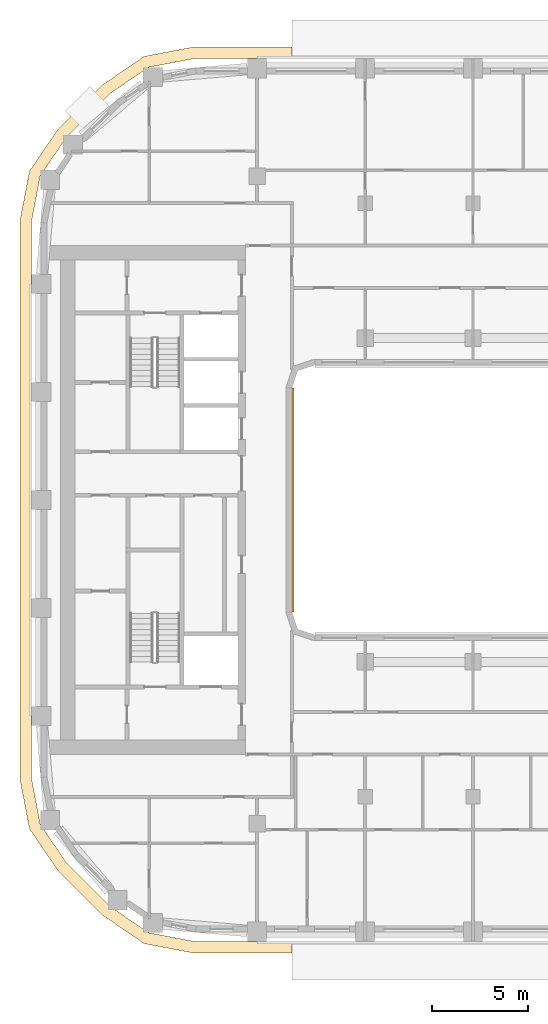
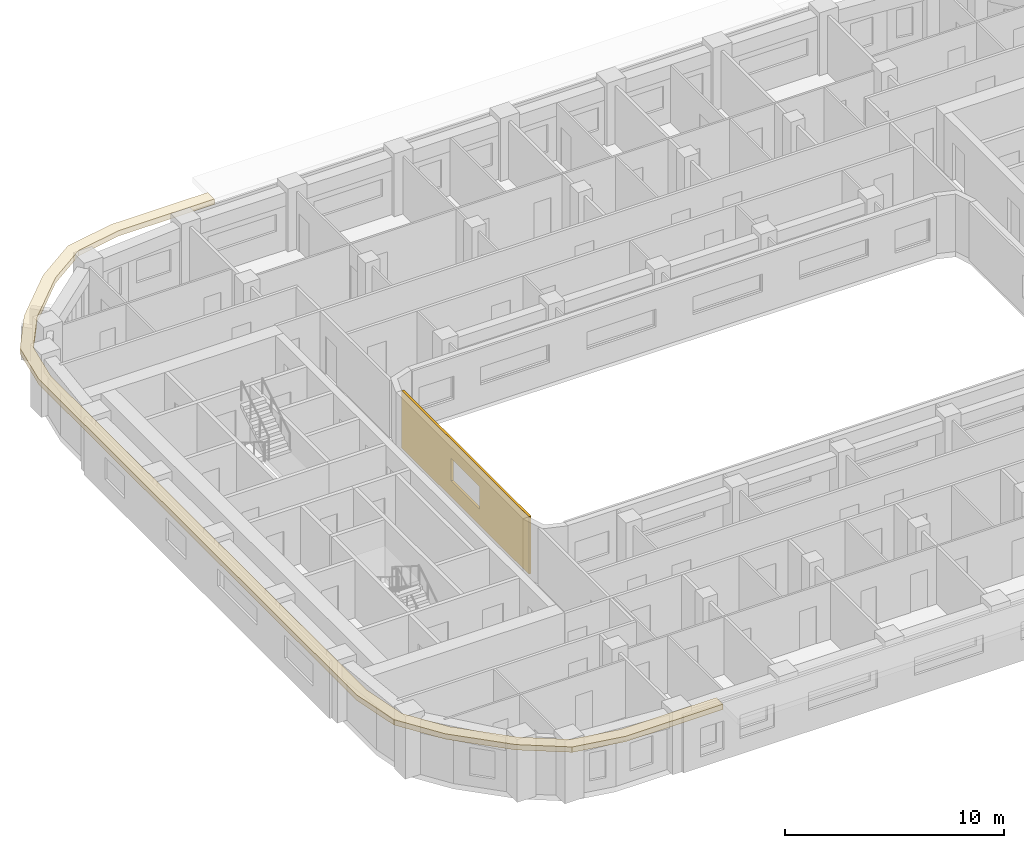
# One storey, part 14 of 22: 2 coverings.
"""IFC4 building model written with IfcOpenShell, lengths in metres."""

import ifcopenshell
import ifcopenshell.guid

model = None  # the IFC model being written
_history = None  # IfcOwnerHistory: only IFC2X3 demands one
_inside = {}  # id of a spatial element -> (the spatial element, [elements in it])
_under = {}  # id of a project, library or spatial element -> (it, [spatial elements below it])
_declared = {}  # id of a project -> (the project, [libraries it declares])
_typed = {}  # id of a type object -> (the type object, [elements of that type])
_made_of = {}  # id of a material, layer set ... -> (it, [elements and type objects made of it])


def new_model(schema):
    """Start an empty IFC model of exactly this schema.

    Asked for "IFC4X3", IfcOpenShell would pick the latest addendum, in which some entities
    have other attributes; the version numbers below select the first issue.
    IFC2X3 requires an IfcOwnerHistory on every rooted entity: one is made here for all.
    """
    global model, _history
    if schema == "IFC4X3":
        model = ifcopenshell.file(schema_version=(4, 3, 0, 0))
    else:
        model = ifcopenshell.file(schema=schema)
    _inside.clear()
    _under.clear()
    _declared.clear()
    _typed.clear()
    _made_of.clear()
    _history = None
    if model.schema == "IFC2X3":
        org = make("IfcOrganization", Name="unknown")
        user = make(
            "IfcPersonAndOrganization",
            ThePerson=make("IfcPerson", FamilyName="unknown"),
            TheOrganization=org,
        )
        app = make(
            "IfcApplication",
            ApplicationDeveloper=org,
            Version="unknown",
            ApplicationFullName="unknown",
            ApplicationIdentifier="unknown",
        )
        _history = make(
            "IfcOwnerHistory",
            OwningUser=user,
            OwningApplication=app,
            ChangeAction="ADDED",
            CreationDate=0,
        )
    return model


def make(cls, **values):
    """One entity of the class cls with the attributes given. An attribute that is None is left unset."""
    return model.create_entity(
        cls, **{name: value for name, value in values.items() if value is not None}
    )


def rooted(cls, **values):
    """An entity with a GlobalId (a new one), such as an element, a storey or a relation."""
    return make(cls, GlobalId=ifcopenshell.guid.new(), OwnerHistory=_history, **values)


def si_unit(unit_type, name, prefix=None):
    """IfcSIUnit, for example si_unit("LENGTHUNIT", "METRE", prefix="MILLI")."""
    return make("IfcSIUnit", UnitType=unit_type, Prefix=prefix, Name=name)


def assignment(units):
    """IfcUnitAssignment: the units of a project."""
    return None if units is None else make("IfcUnitAssignment", Units=units)


def point(xyz):
    """IfcCartesianPoint."""
    return None if xyz is None else make("IfcCartesianPoint", Coordinates=xyz)


def direction(xyz):
    """IfcDirection."""
    return None if xyz is None else make("IfcDirection", DirectionRatios=xyz)


def frame(location, z_axis=None, x_axis=None):
    """IfcAxis2Placement3D, a coordinate frame: its origin and axes. An axis left out is left unset."""
    return make(
        "IfcAxis2Placement3D",
        Location=point(location),
        Axis=direction(z_axis),
        RefDirection=direction(x_axis),
    )


def origin():
    """The frame at (0, 0, 0) with its axes left unset."""
    return frame((0.0, 0.0, 0.0))


def place(relative_to, where):
    """IfcLocalPlacement: puts the frame where relative to a parent placement (None: the world)."""
    return make(
        "IfcLocalPlacement", PlacementRelTo=relative_to, RelativePlacement=where
    )


def context(
    kind, dimensions, precision=None, world=None, true_north=None, identifier=None
):
    """IfcGeometricRepresentationContext, for example the 3D "Model" context."""
    return make(
        "IfcGeometricRepresentationContext",
        ContextIdentifier=identifier,
        ContextType=kind,
        CoordinateSpaceDimension=dimensions,
        Precision=precision,
        WorldCoordinateSystem=world,
        TrueNorth=true_north,
    )


def subcontext(parent, identifier, kind, view, scale=None):
    """IfcGeometricRepresentationSubContext, for example "Body" below "Model"."""
    return make(
        "IfcGeometricRepresentationSubContext",
        ContextIdentifier=identifier,
        ContextType=kind,
        ParentContext=parent,
        TargetScale=scale,
        TargetView=view,
    )


def project(units=None, contexts=None):
    """IfcProject with its units and contexts."""
    return rooted(
        "IfcProject",
        Name="project",
        RepresentationContexts=contexts,
        UnitsInContext=assignment(units),
    )


def spatial(cls, under=None, at=None, **own):
    """A site, building, storey or space (cls), placed at a placement, below another one or the project."""
    s = rooted(cls, ObjectPlacement=at, **own)
    if under is not None:
        _under.setdefault(under.id(), (under, []))[1].append(s)
    return s


def polyline(points):
    """IfcPolyline through the points."""
    return make("IfcPolyline", Points=[point(p) for p in points])


def outline(outer, holes=None, kind="AREA"):
    """IfcArbitraryClosedProfileDef: a profile drawn as a closed curve; with holes, ...WithVoids."""
    if holes is None:
        return make("IfcArbitraryClosedProfileDef", ProfileType=kind, OuterCurve=outer)
    return make(
        "IfcArbitraryProfileDefWithVoids",
        ProfileType=kind,
        OuterCurve=outer,
        InnerCurves=holes,
    )


def extrude(swept, where, along, depth):
    """IfcExtrudedAreaSolid: the profile swept, set in the frame where, extruded along a direction by depth."""
    return make(
        "IfcExtrudedAreaSolid",
        SweptArea=swept,
        Position=where,
        ExtrudedDirection=direction(along),
        Depth=depth,
    )


def shape(context_of_items, identifier, shape_type, items):
    """IfcShapeRepresentation: the items that make up one representation, for example the "Body"."""
    return make(
        "IfcShapeRepresentation",
        ContextOfItems=context_of_items,
        RepresentationIdentifier=identifier,
        RepresentationType=shape_type,
        Items=items,
    )


def material(Name=None, Category=None):
    """IfcMaterial."""
    return make("IfcMaterial", Name=Name, Category=Category)


def layer(
    of_material, thickness, ventilated=None, Name=None, Category=None, Priority=None
):
    """IfcMaterialLayer: one layer of a wall or slab, of a material (None: an air gap)."""
    return make(
        "IfcMaterialLayer",
        Material=of_material,
        LayerThickness=thickness,
        IsVentilated=ventilated,
        Name=Name,
        Category=Category,
        Priority=Priority,
    )


def layer_set(layers, Name=None):
    """IfcMaterialLayerSet."""
    return make("IfcMaterialLayerSet", MaterialLayers=layers, LayerSetName=Name)


def made_of(thing, what):
    """Note that an element or type object is made of a material, layer set ...; save() writes the relation."""
    if what is not None:
        _made_of.setdefault(what.id(), (what, []))[1].append(thing)
    return thing


def type_object(cls, material=None, **own):
    """A type object (cls), such as IfcWallType, which elements share."""
    return made_of(rooted(cls, **own), material)


def element(
    cls,
    number,
    at=None,
    inside=None,
    cuts=None,
    type_object=None,
    material=None,
    context=None,
    identifier="Body",
    shape_type=None,
    held_by="IfcProductDefinitionShape",
    body=None,
    shapes=None,
    **own,
):
    """One element of the class cls, such as IfcWall. Its Tag is "e" and its number.

    at: its placement. inside: the storey or other place that contains it. cuts: it is an
    opening in that element (IfcRelVoidsElement). A single representation is given by context,
    identifier, shape_type and body (its items); several are given by shapes. held_by: the class
    of the entity that holds the representations. save() writes the other relations.
    """
    e = rooted(cls, Tag="e%d" % number, ObjectPlacement=at, **own)
    if body is not None:
        shapes = [shape(context, identifier, shape_type, body)]
    if shapes is not None:
        e.Representation = make(held_by, Representations=shapes)
    if inside is not None:
        _inside.setdefault(inside.id(), (inside, []))[1].append(e)
    if cuts is not None:
        rooted(
            "IfcRelVoidsElement", RelatingBuildingElement=cuts, RelatedOpeningElement=e
        )
    if type_object is not None:
        _typed.setdefault(type_object.id(), (type_object, []))[1].append(e)
    return made_of(e, material)


def aggregate(whole, parts):
    """IfcRelAggregates: a whole, such as a stair, and the parts it consists of."""
    return rooted("IfcRelAggregates", RelatingObject=whole, RelatedObjects=parts)


def save(model, path):
    """Write the relations noted so far, then the file.

    IfcRelAggregates (storeys below a building ...), IfcRelContainedInSpatialStructure (elements
    in a storey), IfcRelDefinesByType, IfcRelAssociatesMaterial and IfcRelDeclares: one each for
    every whole, place, type object, material and project.
    """
    for whole, parts in _under.values():
        aggregate(whole, parts)
    for where, things in _inside.values():
        rooted(
            "IfcRelContainedInSpatialStructure",
            RelatedElements=things,
            RelatingStructure=where,
        )
    for kind, things in _typed.values():
        rooted("IfcRelDefinesByType", RelatedObjects=things, RelatingType=kind)
    for what, things in _made_of.values():
        rooted("IfcRelAssociatesMaterial", RelatedObjects=things, RelatingMaterial=what)
    for by, libraries in _declared.values():
        rooted("IfcRelDeclares", RelatingContext=by, RelatedDefinitions=libraries)
    model.write(path)


model = new_model("IFC4")

# Units and contexts
model_context = context("Model", 3, precision=1e-05, world=origin(), true_north=direction((0.0, 1.0)))
body_context = subcontext(model_context, "Body", "Model", "MODEL_VIEW")
ifc_project = project(units=[si_unit("LENGTHUNIT", "METRE"), si_unit("AREAUNIT", "SQUARE_METRE"), si_unit("VOLUMEUNIT", "CUBIC_METRE"), si_unit("PLANEANGLEUNIT", "RADIAN"), si_unit("MASSUNIT", "GRAM", prefix="KILO")], contexts=[model_context])

# Site, building, storey
site_placement = place(None, origin())
site = spatial("IfcSite", under=ifc_project, at=site_placement, CompositionType="ELEMENT")
building_placement = place(site_placement, origin())
building = spatial("IfcBuilding", under=site, at=building_placement, Name="Kiln Ring Residences", CompositionType="ELEMENT")
storey_placement = place(building_placement, frame((0.0, 0.0, 164.10009765625)))
storey = spatial("IfcBuildingStorey", under=building, at=storey_placement, Name="L42", CompositionType="ELEMENT", Elevation=164.10009765625)

# Coverings
ifc_material_1 = material(Name="Brick masonry, dark clay brick", Category="masonry")
ifc_layer_1 = layer(ifc_material_1, 0.1201171875)
ifc_layer_set_1 = layer_set([ifc_layer_1], Name="RAINSCREEN PANEL 120")
covering_type_1 = type_object("IfcCoveringType", Name="RAINSCREEN PANEL 120", PredefinedType="CLADDING", material=ifc_layer_set_1)
covering_1_placement = place(storey_placement, frame((-14.93994140625, -5.800048828125, 0.0), z_axis=(0.0, 0.0, 1.0), x_axis=(0.0, 1.0, 0.0)))
element("IfcCovering", 1, at=covering_1_placement, inside=storey, type_object=covering_type_1, Name="RAINSCREEN L42", PredefinedType="CLADDING", context=body_context, shape_type="SweptSolid", body=[
    extrude(outline(polyline([(0.0, 0.0), (11.60009765625, 0.0), (11.60009765625, 3.199951171875), (0.0, 3.199951171875), (0.0, 0.0)]), holes=[polyline([(4.5, 2.14990234375), (4.5, 0.89990234375), (7.10009765625, 0.89990234375), (7.10009765625, 2.14990234375), (4.5, 2.14990234375)])]), frame((0.0, 0.06005859375, 0.0), z_axis=(0.0, -1.0, 0.0), x_axis=(1.0, 0.0, 0.0)), (0.0, 0.0, 1.0), 0.1201171875),
])
ifc_material_2 = material(Name="Black powder-coated steel", Category="steel")
ifc_layer_2 = layer(ifc_material_2, 0.300048828125)
ifc_layer_set_2 = layer_set([ifc_layer_2], Name="SUNSHADE FIN 600")
covering_type_2 = type_object("IfcCoveringType", Name="SUNSHADE FIN 600", PredefinedType="CLADDING", material=ifc_layer_set_2)
covering_2_placement = place(storey_placement, frame((0.0, 0.0, 3.199951171875)))
element("IfcCovering", 2, at=covering_2_placement, inside=storey, type_object=covering_type_2, Name="SUNSHADE FIN L42", PredefinedType="CLADDING", context=body_context, shape_type="SweptSolid", body=[
    extrude(outline(polyline([(-29.10009765625, -14.50390625), (-28.613525390625, -17.05419921875), (-27.154296875, -19.201416015625), (-24.801513671875, -21.55419921875), (-22.654052734375, -23.013671875), (-20.10400390625, -23.5), (-15.0, -23.5), (-15.0, -22.89990234375), (-20.04736328125, -22.89990234375), (-22.419677734375, -22.447509765625), (-24.417236328125, -21.08984375), (-26.68994140625, -18.817138671875), (-28.047607421875, -16.819580078125), (-28.5, -14.447265625), (-28.5, 14.447265625), (-28.047607421875, 16.819580078125), (-26.68994140625, 18.817138671875), (-24.417236328125, 21.08984375), (-22.419677734375, 22.447509765625), (-20.04736328125, 22.89990234375), (-15.0, 22.89990234375), (-15.0, 23.5), (-20.10400390625, 23.5), (-22.654052734375, 23.013671875), (-24.801513671875, 21.55419921875), (-27.154296875, 19.201416015625), (-28.613525390625, 17.05419921875), (-29.10009765625, 14.50390625), (-29.10009765625, -14.50390625)])), origin(), (0.0, 0.0, 1.0), 0.300048828125),
])

save(model, "model.ifc")
